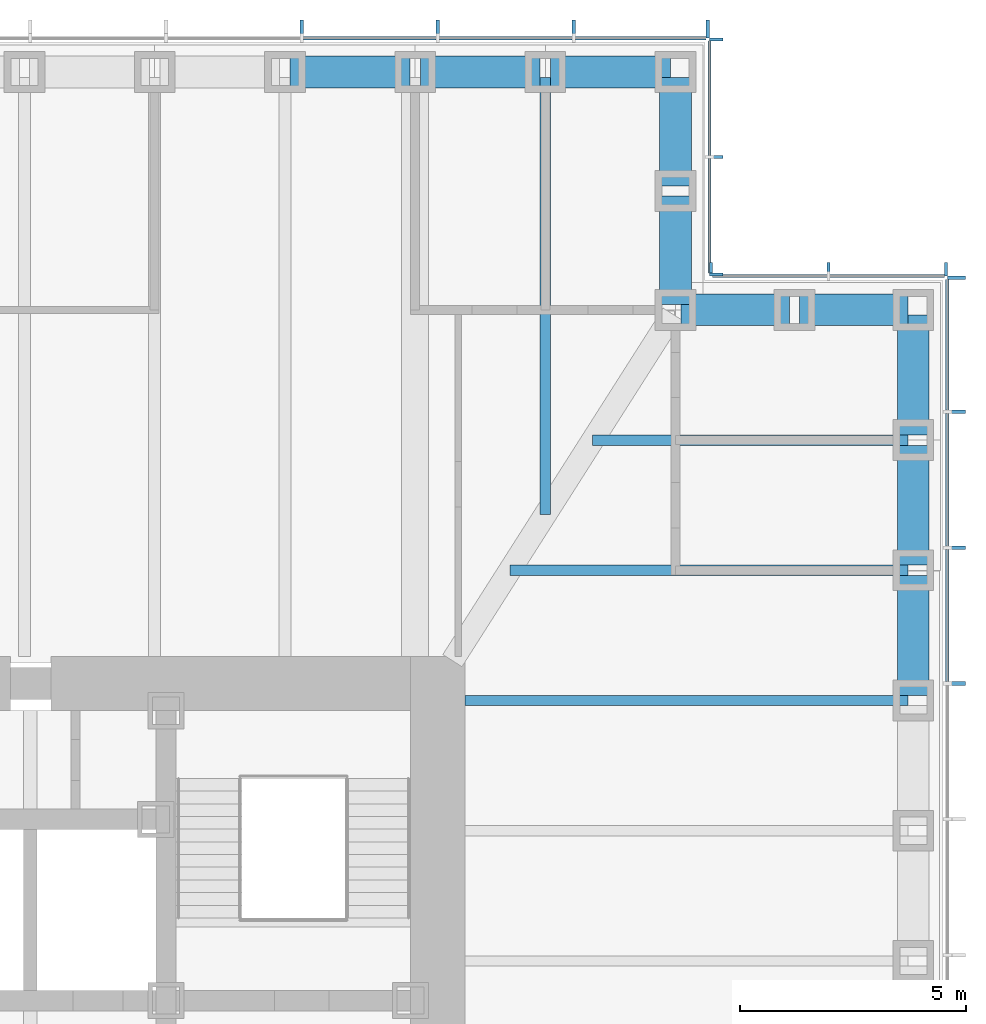
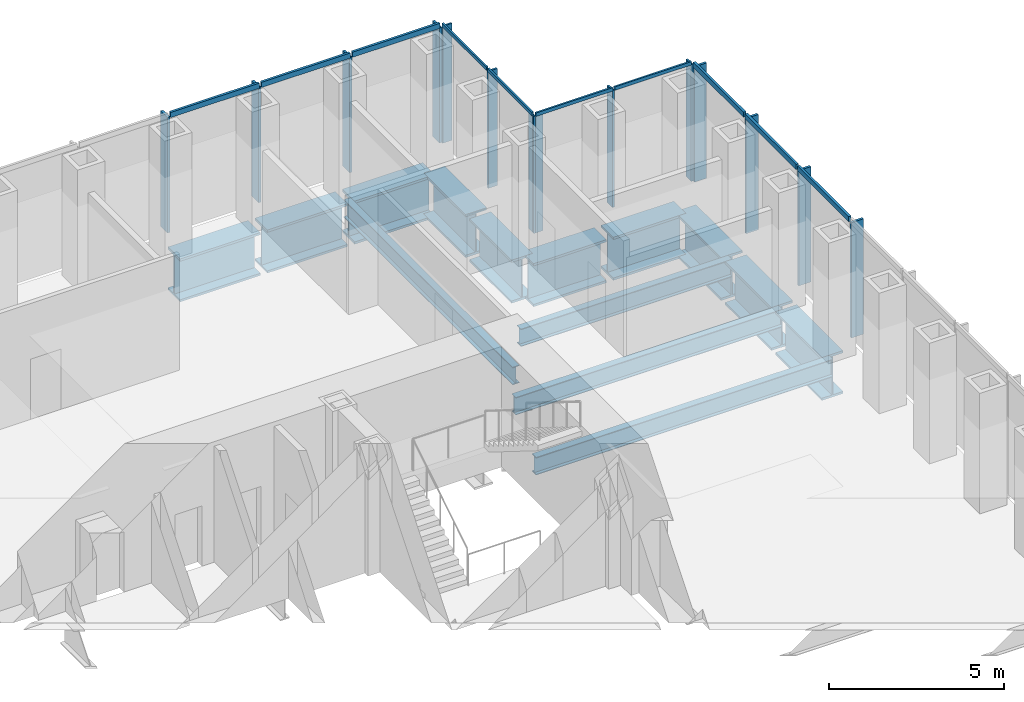
# One storey, part 6 of 17: 24 members, 14 beams, 4 elements without a shape of their own.
"""IFC4 building model written with IfcOpenShell, lengths in metres."""

from ifc_helpers import new_model, si_unit, direction, frame, origin, origin_2d, place, context, subcontext, project, spatial, rectangle, i_section, extrude, material, material_profile, profile_set, type_object, element, aggregate, save


model = new_model("IFC4")

# Units and contexts
model_context = context("Model", 3, precision=1e-05, world=origin(), true_north=direction((0.0, 1.0)))
body_context = subcontext(model_context, "Body", "Model", "MODEL_VIEW")
ifc_project = project(units=[si_unit("LENGTHUNIT", "METRE"), si_unit("AREAUNIT", "SQUARE_METRE"), si_unit("VOLUMEUNIT", "CUBIC_METRE"), si_unit("PLANEANGLEUNIT", "RADIAN"), si_unit("MASSUNIT", "GRAM", prefix="KILO")], contexts=[model_context])

# Site, building, storey
site_placement = place(None, origin())
site = spatial("IfcSite", under=ifc_project, at=site_placement, CompositionType="ELEMENT")
building_placement = place(site_placement, origin())
building = spatial("IfcBuilding", under=site, at=building_placement, Name="Daluyong Arena Tower", CompositionType="ELEMENT")
storey_placement = place(building_placement, frame((0.0, 0.0, 124.89990234375)))
storey = spatial("IfcBuildingStorey", under=building, at=storey_placement, Name="L27", CompositionType="ELEMENT", Elevation=124.89990234375)

# Curtain wall, members
ifc_material_1 = material(Name="Bronze anodised aluminium and glass", Category="aluminium")
curtain_wall_type_1 = type_object("IfcCurtainWallType", Name="Curtain wall CW2", PredefinedType="USERDEFINED", material=ifc_material_1)
curtain_wall_1_placement = place(storey_placement, origin())
curtain_wall_1 = element("IfcCurtainWall", 1, at=curtain_wall_1_placement, inside=storey, type_object=curtain_wall_type_1, Name="curtain wall L27 E", ObjectType="UNITISED CURTAIN WALL", PredefinedType="USERDEFINED")
ifc_material_2 = material(Name="Bronze anodised aluminium fin", Category="aluminium")
ifc_material_profile_1 = material_profile(ifc_material_2, rectangle(XDim=0.39990234375, YDim=0.080078125, at=origin_2d()))
ifc_profile_set_1 = profile_set([ifc_material_profile_1], Name="Bronze anodised aluminium fin")
member_type_1 = type_object("IfcMemberType", Name="CW2 bronze fin 400x80", PredefinedType="MULLION", material=ifc_profile_set_1)
member_1_placement = place(storey_placement, frame((79.449951171875, 89.0, 0.0), z_axis=(0.0, 0.0, 1.0), x_axis=(-1.0, 0.0, 0.0)))
member_1 = element("IfcMember", 2, at=member_1_placement, type_object=member_type_1, Name="curtain wall L27 E fin 10", PredefinedType="MULLION", context=body_context, shape_type="SweptSolid", body=[
    extrude(rectangle(XDim=0.39990234375, YDim=0.080078125, at=origin_2d()), origin(), (0.0, 0.0, 1.0), 4.02001953125),
])
member_2_placement = place(storey_placement, frame((79.449951171875, 92.0, 0.0), z_axis=(0.0, 0.0, 1.0), x_axis=(-1.0, 0.0, 0.0)))
member_2 = element("IfcMember", 3, at=member_2_placement, type_object=member_type_1, Name="curtain wall L27 E fin 11", PredefinedType="MULLION", context=body_context, shape_type="SweptSolid", body=[
    extrude(rectangle(XDim=0.39990234375, YDim=0.080078125, at=origin_2d()), origin(), (0.0, 0.0, 1.0), 4.02001953125),
])
member_3_placement = place(storey_placement, frame((79.449951171875, 95.0, 0.0), z_axis=(0.0, 0.0, 1.0), x_axis=(-1.0, 0.0, 0.0)))
member_3 = element("IfcMember", 4, at=member_3_placement, type_object=member_type_1, Name="curtain wall L27 E fin 12", PredefinedType="MULLION", context=body_context, shape_type="SweptSolid", body=[
    extrude(rectangle(XDim=0.39990234375, YDim=0.080078125, at=origin_2d()), origin(), (0.0, 0.0, 1.0), 4.02001953125),
])
member_4_placement = place(storey_placement, frame((79.449951171875, 97.9599609375, 0.0), z_axis=(0.0, 0.0, 1.0), x_axis=(-1.0, 0.0, 0.0)))
member_4 = element("IfcMember", 5, at=member_4_placement, type_object=member_type_1, Name="curtain wall L27 E fin 13", PredefinedType="MULLION", context=body_context, shape_type="SweptSolid", body=[
    extrude(rectangle(XDim=0.39990234375, YDim=0.080078125, at=origin_2d()), origin(), (0.0, 0.0, 1.0), 4.02001953125),
])

curtain_wall_2_placement = place(storey_placement, origin())
curtain_wall_2 = element("IfcCurtainWall", 6, at=curtain_wall_2_placement, inside=storey, type_object=curtain_wall_type_1, Name="curtain wall L27 N", ObjectType="UNITISED CURTAIN WALL", PredefinedType="USERDEFINED")
member_5_placement = place(storey_placement, frame((73.9599609375, 103.449951171875, 0.0), z_axis=(0.0, 0.0, 1.0), x_axis=(0.0, -1.0, 0.0)))
member_5 = element("IfcMember", 7, at=member_5_placement, type_object=member_type_1, Name="curtain wall L27 N fin 1", PredefinedType="MULLION", context=body_context, shape_type="SweptSolid", body=[
    extrude(rectangle(XDim=0.39990234375, YDim=0.080078125, at=origin_2d()), origin(), (0.0, 0.0, 1.0), 4.02001953125),
])
member_6_placement = place(storey_placement, frame((71.0, 103.449951171875, 0.0), z_axis=(0.0, 0.0, 1.0), x_axis=(0.0, -1.0, 0.0)))
member_6 = element("IfcMember", 8, at=member_6_placement, type_object=member_type_1, Name="curtain wall L27 N fin 2", PredefinedType="MULLION", context=body_context, shape_type="SweptSolid", body=[
    extrude(rectangle(XDim=0.39990234375, YDim=0.080078125, at=origin_2d()), origin(), (0.0, 0.0, 1.0), 4.02001953125),
])
member_7_placement = place(storey_placement, frame((68.0, 103.449951171875, 0.0), z_axis=(0.0, 0.0, 1.0), x_axis=(0.0, -1.0, 0.0)))
member_7 = element("IfcMember", 9, at=member_7_placement, type_object=member_type_1, Name="curtain wall L27 N fin 3", PredefinedType="MULLION", context=body_context, shape_type="SweptSolid", body=[
    extrude(rectangle(XDim=0.39990234375, YDim=0.080078125, at=origin_2d()), origin(), (0.0, 0.0, 1.0), 4.02001953125),
])
member_8_placement = place(storey_placement, frame((65.0, 103.449951171875, 0.0), z_axis=(0.0, 0.0, 1.0), x_axis=(0.0, -1.0, 0.0)))
member_8 = element("IfcMember", 10, at=member_8_placement, type_object=member_type_1, Name="curtain wall L27 N fin 4", PredefinedType="MULLION", context=body_context, shape_type="SweptSolid", body=[
    extrude(rectangle(XDim=0.39990234375, YDim=0.080078125, at=origin_2d()), origin(), (0.0, 0.0, 1.0), 4.02001953125),
])

# Member
ifc_material_3 = material(Name="Bronze anodised aluminium", Category="aluminium")
ifc_material_profile_2 = material_profile(ifc_material_3, rectangle(XDim=0.080078125, YDim=0.179931640625, at=origin_2d()))
ifc_profile_set_2 = profile_set([ifc_material_profile_2], Name="Bronze anodised aluminium")
member_type_2 = type_object("IfcMemberType", Name="CW2 stack transom 180x80", PredefinedType="USERDEFINED", material=ifc_profile_set_2)
member_9_placement = place(storey_placement, frame((79.25, 89.0400390625, 4.110107421875), z_axis=(0.0, 1.0, 0.0), x_axis=(-1.0, 0.0, 0.0)))
member_9 = element("IfcMember", 11, at=member_9_placement, type_object=member_type_2, Name="curtain wall L27 E transom 10", ObjectType="TRANSOM", PredefinedType="USERDEFINED", context=body_context, shape_type="SweptSolid", body=[
    extrude(rectangle(XDim=0.080078125, YDim=0.179931640625, at=origin_2d()), origin(), (0.0, 0.0, 1.0), 2.919921875),
])

member_10_placement = place(storey_placement, frame((79.25, 92.0400390625, 4.110107421875), z_axis=(0.0, 1.0, 0.0), x_axis=(-1.0, 0.0, 0.0)))
member_10 = element("IfcMember", 12, at=member_10_placement, type_object=member_type_2, Name="curtain wall L27 E transom 11", ObjectType="TRANSOM", PredefinedType="USERDEFINED", context=body_context, shape_type="SweptSolid", body=[
    extrude(rectangle(XDim=0.080078125, YDim=0.179931640625, at=origin_2d()), origin(), (0.0, 0.0, 1.0), 2.919921875),
])

member_11_placement = place(storey_placement, frame((79.25, 95.0400390625, 4.110107421875), z_axis=(0.0, 1.0, 0.0), x_axis=(-1.0, 0.0, 0.0)))
member_11 = element("IfcMember", 13, at=member_11_placement, type_object=member_type_2, Name="curtain wall L27 E transom 12", ObjectType="TRANSOM", PredefinedType="USERDEFINED", context=body_context, shape_type="SweptSolid", body=[
    extrude(rectangle(XDim=0.080078125, YDim=0.179931640625, at=origin_2d()), origin(), (0.0, 0.0, 1.0), 2.8798828125),
])

aggregate(curtain_wall_1, [member_1, member_2, member_3, member_4, member_9, member_10, member_11])

member_12_placement = place(storey_placement, frame((73.919921875, 103.25, 4.110107421875), z_axis=(-1.0, 0.0, 0.0), x_axis=(0.0, -1.0, 0.0)))
member_12 = element("IfcMember", 14, at=member_12_placement, type_object=member_type_2, Name="curtain wall L27 N transom 1", ObjectType="TRANSOM", PredefinedType="USERDEFINED", context=body_context, shape_type="SweptSolid", body=[
    extrude(rectangle(XDim=0.080078125, YDim=0.179931640625, at=origin_2d()), origin(), (0.0, 0.0, 1.0), 2.8798828125),
])

member_13_placement = place(storey_placement, frame((70.9599609375, 103.25, 4.110107421875), z_axis=(-1.0, 0.0, 0.0), x_axis=(0.0, -1.0, 0.0)))
member_13 = element("IfcMember", 15, at=member_13_placement, type_object=member_type_2, Name="curtain wall L27 N transom 2", ObjectType="TRANSOM", PredefinedType="USERDEFINED", context=body_context, shape_type="SweptSolid", body=[
    extrude(rectangle(XDim=0.080078125, YDim=0.179931640625, at=origin_2d()), origin(), (0.0, 0.0, 1.0), 2.919921875),
])

member_14_placement = place(storey_placement, frame((67.9599609375, 103.25, 4.110107421875), z_axis=(-1.0, 0.0, 0.0), x_axis=(0.0, -1.0, 0.0)))
member_14 = element("IfcMember", 16, at=member_14_placement, type_object=member_type_2, Name="curtain wall L27 N transom 3", ObjectType="TRANSOM", PredefinedType="USERDEFINED", context=body_context, shape_type="SweptSolid", body=[
    extrude(rectangle(XDim=0.080078125, YDim=0.179931640625, at=origin_2d()), origin(), (0.0, 0.0, 1.0), 2.919921875),
])

aggregate(curtain_wall_2, [member_5, member_6, member_7, member_8, member_12, member_13, member_14])

# Curtain wall, members
ifc_material_4 = material(Name="Bronze anodised aluminium and glass", Category="aluminium")
curtain_wall_type_2 = type_object("IfcCurtainWallType", Name="Curtain wall CW7", PredefinedType="USERDEFINED", material=ifc_material_4)
curtain_wall_3_placement = place(storey_placement, origin())
curtain_wall_3 = element("IfcCurtainWall", 17, at=curtain_wall_3_placement, inside=storey, type_object=curtain_wall_type_2, Name="curtain wall L27 NE-N", ObjectType="UNITISED CURTAIN WALL", PredefinedType="USERDEFINED")
ifc_material_5 = material(Name="Bronze anodised aluminium fin", Category="aluminium")
ifc_material_profile_3 = material_profile(ifc_material_5, rectangle(XDim=0.300048828125, YDim=0.06005859375, at=origin_2d()))
ifc_profile_set_3 = profile_set([ifc_material_profile_3], Name="Bronze anodised aluminium fin")
member_type_3 = type_object("IfcMemberType", Name="CW7 bronze fin 300x60", PredefinedType="MULLION", material=ifc_profile_set_3)
member_15_placement = place(storey_placement, frame((79.219970703125, 98.14990234375, 0.0), z_axis=(0.0, 0.0, 1.0), x_axis=(0.0, -1.0, 0.0)))
member_15 = element("IfcMember", 18, at=member_15_placement, type_object=member_type_3, Name="curtain wall L27 NE-N fin 1", PredefinedType="MULLION", context=body_context, shape_type="SweptSolid", body=[
    extrude(rectangle(XDim=0.300048828125, YDim=0.06005859375, at=origin_2d()), origin(), (0.0, 0.0, 1.0), 4.080078125),
])
member_16_placement = place(storey_placement, frame((76.625, 98.14990234375, 0.0), z_axis=(0.0, 0.0, 1.0), x_axis=(0.0, -1.0, 0.0)))
member_16 = element("IfcMember", 19, at=member_16_placement, type_object=member_type_3, Name="curtain wall L27 NE-N fin 2", PredefinedType="MULLION", context=body_context, shape_type="SweptSolid", body=[
    extrude(rectangle(XDim=0.300048828125, YDim=0.06005859375, at=origin_2d()), origin(), (0.0, 0.0, 1.0), 4.080078125),
])
member_17_placement = place(storey_placement, frame((74.030029296875, 98.14990234375, 0.0), z_axis=(0.0, 0.0, 1.0), x_axis=(0.0, -1.0, 0.0)))
member_17 = element("IfcMember", 20, at=member_17_placement, type_object=member_type_3, Name="curtain wall L27 NE-N fin 3", PredefinedType="MULLION", context=body_context, shape_type="SweptSolid", body=[
    extrude(rectangle(XDim=0.300048828125, YDim=0.06005859375, at=origin_2d()), origin(), (0.0, 0.0, 1.0), 4.080078125),
])

curtain_wall_4_placement = place(storey_placement, origin())
curtain_wall_4 = element("IfcCurtainWall", 21, at=curtain_wall_4_placement, inside=storey, type_object=curtain_wall_type_2, Name="curtain wall L27 NE-E", ObjectType="UNITISED CURTAIN WALL", PredefinedType="USERDEFINED")
member_18_placement = place(storey_placement, frame((74.14990234375, 98.030029296875, 0.0), z_axis=(0.0, 0.0, 1.0), x_axis=(-1.0, 0.0, 0.0)))
member_18 = element("IfcMember", 22, at=member_18_placement, type_object=member_type_3, Name="curtain wall L27 NE-E fin 1", PredefinedType="MULLION", context=body_context, shape_type="SweptSolid", body=[
    extrude(rectangle(XDim=0.300048828125, YDim=0.06005859375, at=origin_2d()), origin(), (0.0, 0.0, 1.0), 4.080078125),
])
member_19_placement = place(storey_placement, frame((74.14990234375, 100.625, 0.0), z_axis=(0.0, 0.0, 1.0), x_axis=(-1.0, 0.0, 0.0)))
member_19 = element("IfcMember", 23, at=member_19_placement, type_object=member_type_3, Name="curtain wall L27 NE-E fin 2", PredefinedType="MULLION", context=body_context, shape_type="SweptSolid", body=[
    extrude(rectangle(XDim=0.300048828125, YDim=0.06005859375, at=origin_2d()), origin(), (0.0, 0.0, 1.0), 4.080078125),
])
member_20_placement = place(storey_placement, frame((74.14990234375, 103.219970703125, 0.0), z_axis=(0.0, 0.0, 1.0), x_axis=(-1.0, 0.0, 0.0)))
member_20 = element("IfcMember", 24, at=member_20_placement, type_object=member_type_3, Name="curtain wall L27 NE-E fin 3", PredefinedType="MULLION", context=body_context, shape_type="SweptSolid", body=[
    extrude(rectangle(XDim=0.300048828125, YDim=0.06005859375, at=origin_2d()), origin(), (0.0, 0.0, 1.0), 4.080078125),
])

# Member
ifc_material_6 = material(Name="Bronze anodised aluminium", Category="aluminium")
ifc_material_profile_4 = material_profile(ifc_material_6, rectangle(XDim=0.06005859375, YDim=0.1201171875, at=origin_2d()))
ifc_profile_set_4 = profile_set([ifc_material_profile_4], Name="Bronze anodised aluminium")
member_type_4 = type_object("IfcMemberType", Name="CW7 stack transom 120x60", PredefinedType="USERDEFINED", material=ifc_profile_set_4)
member_21_placement = place(storey_placement, frame((79.18994140625, 98.0, 4.14013671875), z_axis=(-1.0, 0.0, 0.0), x_axis=(0.0, -1.0, 0.0)))
member_21 = element("IfcMember", 25, at=member_21_placement, type_object=member_type_4, Name="curtain wall L27 NE-N transom 1", ObjectType="TRANSOM", PredefinedType="USERDEFINED", context=body_context, shape_type="SweptSolid", body=[
    extrude(rectangle(XDim=0.06005859375, YDim=0.1201171875, at=origin_2d()), origin(), (0.0, 0.0, 1.0), 2.534912109375),
])

member_22_placement = place(storey_placement, frame((76.594970703125, 98.0, 4.14013671875), z_axis=(-1.0, 0.0, 0.0), x_axis=(0.0, -1.0, 0.0)))
member_22 = element("IfcMember", 26, at=member_22_placement, type_object=member_type_4, Name="curtain wall L27 NE-N transom 2", ObjectType="TRANSOM", PredefinedType="USERDEFINED", context=body_context, shape_type="SweptSolid", body=[
    extrude(rectangle(XDim=0.06005859375, YDim=0.1201171875, at=origin_2d()), origin(), (0.0, 0.0, 1.0), 2.534912109375),
])

aggregate(curtain_wall_3, [member_15, member_16, member_17, member_21, member_22])

member_23_placement = place(storey_placement, frame((74.0, 98.06005859375, 4.14013671875), z_axis=(0.0, 1.0, 0.0), x_axis=(-1.0, 0.0, 0.0)))
member_23 = element("IfcMember", 27, at=member_23_placement, type_object=member_type_4, Name="curtain wall L27 NE-E transom 1", ObjectType="TRANSOM", PredefinedType="USERDEFINED", context=body_context, shape_type="SweptSolid", body=[
    extrude(rectangle(XDim=0.06005859375, YDim=0.1201171875, at=origin_2d()), origin(), (0.0, 0.0, 1.0), 2.534912109375),
])

member_24_placement = place(storey_placement, frame((74.0, 100.655029296875, 4.14013671875), z_axis=(0.0, 1.0, 0.0), x_axis=(-1.0, 0.0, 0.0)))
member_24 = element("IfcMember", 28, at=member_24_placement, type_object=member_type_4, Name="curtain wall L27 NE-E transom 2", ObjectType="TRANSOM", PredefinedType="USERDEFINED", context=body_context, shape_type="SweptSolid", body=[
    extrude(rectangle(XDim=0.06005859375, YDim=0.1201171875, at=origin_2d()), origin(), (0.0, 0.0, 1.0), 2.534912109375),
])

aggregate(curtain_wall_4, [member_18, member_19, member_20, member_23, member_24])

# Beams
ifc_material_7 = material(Name="Steel ASTM A992 Grade 50", Category="steel")
ifc_material_profile_5 = material_profile(ifc_material_7, i_section(OverallWidth=0.22900390625, OverallDepth=0.612060546875, WebThickness=0.011962890625, FlangeThickness=0.01953125, at=origin_2d()))
ifc_profile_set_5 = profile_set([ifc_material_profile_5], Name="Steel ASTM A992 Grade 50")
beam_type_1 = type_object("IfcBeamType", Name="Floor beam W24X84", PredefinedType="BEAM", material=ifc_profile_set_5)
beam_1_placement = place(storey_placement, frame((78.385009765625, 88.625, -0.466064453125), z_axis=(-1.0, 0.0, 0.0), x_axis=(0.0, -1.0, 0.0)))
element("IfcBeam", 29, at=beam_1_placement, inside=storey, type_object=beam_type_1, Name="floor beam FB3", PredefinedType="BEAM", context=body_context, shape_type="SweptSolid", body=[
    extrude(i_section(OverallWidth=0.22900390625, OverallDepth=0.612060546875, WebThickness=0.011962890625, FlangeThickness=0.01953125, at=origin_2d()), origin(), (0.0, 0.0, 1.0), 9.784912109375),
])
beam_2_placement = place(storey_placement, frame((78.385009765625, 91.5, -0.466064453125), z_axis=(-1.0, 0.0, 0.0), x_axis=(0.0, -1.0, 0.0)))
element("IfcBeam", 30, at=beam_2_placement, inside=storey, type_object=beam_type_1, Name="floor beam FB3", PredefinedType="BEAM", context=body_context, shape_type="SweptSolid", body=[
    extrude(i_section(OverallWidth=0.22900390625, OverallDepth=0.612060546875, WebThickness=0.011962890625, FlangeThickness=0.01953125, at=origin_2d()), origin(), (0.0, 0.0, 1.0), 8.794189453125),
])
beam_3_placement = place(storey_placement, frame((78.385009765625, 94.375, -0.466064453125), z_axis=(-1.0, 0.0, 0.0), x_axis=(0.0, -1.0, 0.0)))
element("IfcBeam", 31, at=beam_3_placement, inside=storey, type_object=beam_type_1, Name="floor beam FB3", PredefinedType="BEAM", context=body_context, shape_type="SweptSolid", body=[
    extrude(i_section(OverallWidth=0.22900390625, OverallDepth=0.612060546875, WebThickness=0.011962890625, FlangeThickness=0.01953125, at=origin_2d()), origin(), (0.0, 0.0, 1.0), 6.964599609375),
])
beam_4_placement = place(storey_placement, frame((70.375, 102.385009765625, -0.466064453125), z_axis=(0.0, -1.0, 0.0), x_axis=(1.0, 0.0, 0.0)))
element("IfcBeam", 32, at=beam_4_placement, inside=storey, type_object=beam_type_1, Name="floor beam FB3", PredefinedType="BEAM", context=body_context, shape_type="SweptSolid", body=[
    extrude(i_section(OverallWidth=0.22900390625, OverallDepth=0.612060546875, WebThickness=0.011962890625, FlangeThickness=0.01953125, at=origin_2d()), origin(), (0.0, 0.0, 1.0), 9.65283203125),
])
ifc_material_8 = material(Name="Steel ASTM A572 Grade 50", Category="steel")
ifc_material_profile_6 = material_profile(ifc_material_8, i_section(OverallWidth=0.699951171875, OverallDepth=1.5, WebThickness=0.04, FlangeThickness=0.08, at=origin_2d()))
ifc_profile_set_6 = profile_set([ifc_material_profile_6], Name="Steel ASTM A572 Grade 50")
beam_type_2 = type_object("IfcBeamType", Name="Spandrel Z2 PG1500X700", PredefinedType="SPANDREL", material=ifc_profile_set_6)
for number, where, z_axis, x_axis, name in (
    (33, (78.5, 88.739990234375, -0.909912109375), (0.0, 1.0, 0.0), (-1.0, 0.0, 0.0), "spandrel z2 SB6"),
    (34, (78.5, 91.614990234375, -0.909912109375), (0.0, 1.0, 0.0), (-1.0, 0.0, 0.0), "spandrel z2 SB6"),
    (35, (78.5, 94.489990234375, -0.909912109375), (0.0, 1.0, 0.0), (-1.0, 0.0, 0.0), "spandrel z2 SB6"),
):
    element("IfcBeam", number, at=place(storey_placement, frame(where, z_axis=z_axis, x_axis=x_axis)), inside=storey, type_object=beam_type_2, Name=name, PredefinedType="SPANDREL", context=body_context, shape_type="SweptSolid", body=[
        extrude(i_section(OverallWidth=0.699951171875, OverallDepth=1.5, WebThickness=0.04, FlangeThickness=0.08, at=origin_2d()), origin(), (0.0, 0.0, 1.0), 2.64501953125),
    ])
for number, where, z_axis, x_axis, name in (
    (36, (78.385009765625, 97.25, -0.909912109375), (-1.0, 0.0, 0.0), (0.0, -1.0, 0.0), "spandrel z2 SB6"),
    (37, (75.760009765625, 97.25, -0.909912109375), (-1.0, 0.0, 0.0), (0.0, -1.0, 0.0), "spandrel z2 SB6"),
    (38, (73.25, 97.364990234375, -0.909912109375), (0.0, 1.0, 0.0), (-1.0, 0.0, 0.0), "spandrel z2 SB6"),
    (39, (73.25, 99.989990234375, -0.909912109375), (0.0, 1.0, 0.0), (-1.0, 0.0, 0.0), "spandrel z2 SB6"),
):
    element("IfcBeam", number, at=place(storey_placement, frame(where, z_axis=z_axis, x_axis=x_axis)), inside=storey, type_object=beam_type_2, Name=name, PredefinedType="SPANDREL", context=body_context, shape_type="SweptSolid", body=[
        extrude(i_section(OverallWidth=0.699951171875, OverallDepth=1.5, WebThickness=0.04, FlangeThickness=0.08, at=origin_2d()), origin(), (0.0, 0.0, 1.0), 2.39501953125),
    ])
for number, where, z_axis, x_axis, name in (
    (40, (73.135009765625, 102.5, -0.909912109375), (-1.0, 0.0, 0.0), (0.0, -1.0, 0.0), "spandrel z2 SB6"),
    (41, (70.260009765625, 102.5, -0.909912109375), (-1.0, 0.0, 0.0), (0.0, -1.0, 0.0), "spandrel z2 SB6"),
    (42, (67.385009765625, 102.5, -0.909912109375), (-1.0, 0.0, 0.0), (0.0, -1.0, 0.0), "spandrel z2 SB6"),
):
    element("IfcBeam", number, at=place(storey_placement, frame(where, z_axis=z_axis, x_axis=x_axis)), inside=storey, type_object=beam_type_2, Name=name, PredefinedType="SPANDREL", context=body_context, shape_type="SweptSolid", body=[
        extrude(i_section(OverallWidth=0.699951171875, OverallDepth=1.5, WebThickness=0.04, FlangeThickness=0.08, at=origin_2d()), origin(), (0.0, 0.0, 1.0), 2.64501953125),
    ])

save(model, "model.ifc")
